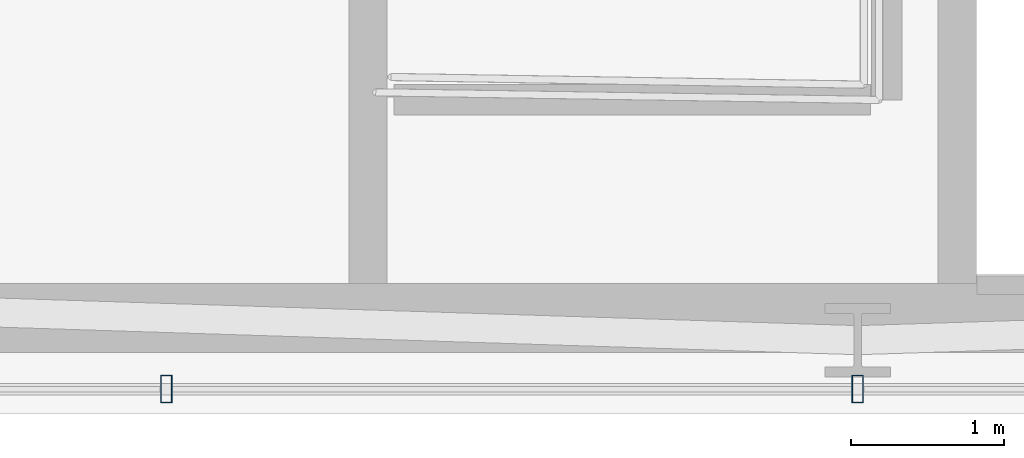
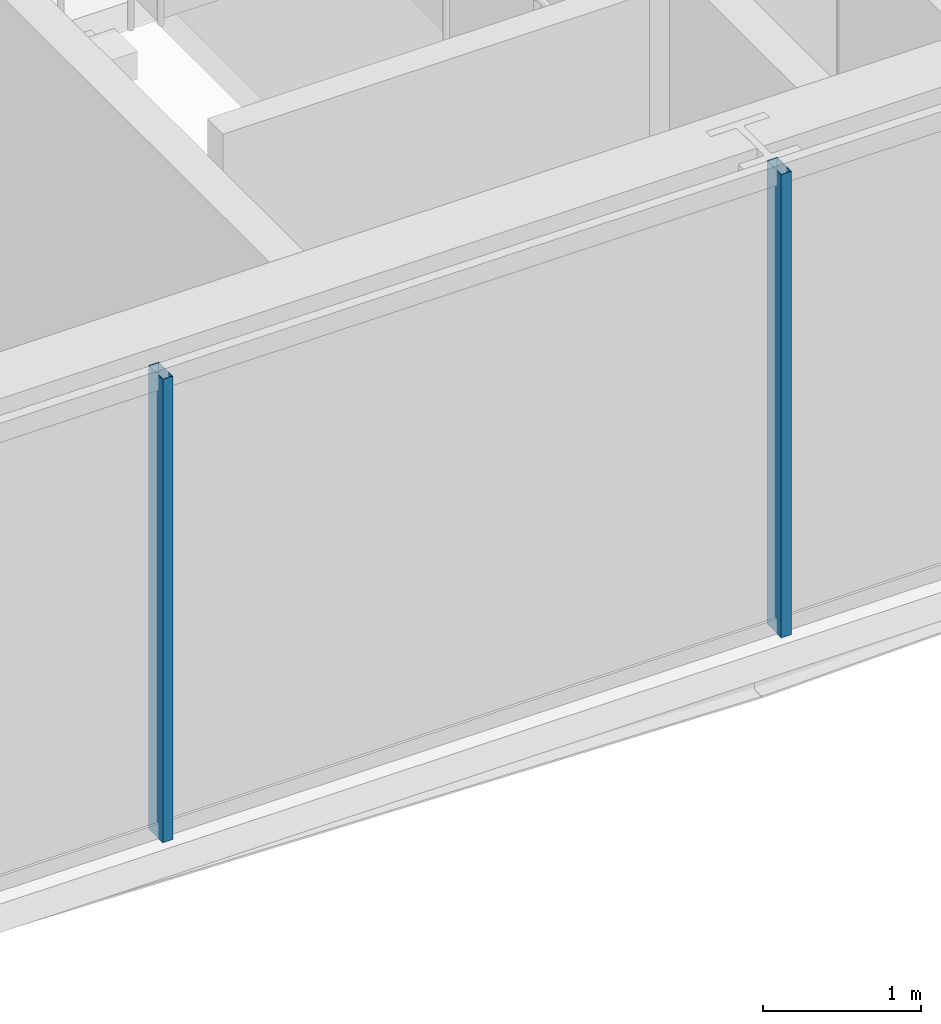
# One storey, part 7 of 33: 2 members, 1 element without a shape of its own.
"""IFC4 building model written with IfcOpenShell, lengths in metres."""

from ifc_helpers import new_model, si_unit, direction, frame, origin, origin_2d, place, context, subcontext, project, spatial, hollow_rectangle, extrude, material, layer, layer_set, material_profile, profile_set, type_object, element, aggregate, save


model = new_model("IFC4")

# Units and contexts
model_context = context("Model", 3, precision=1e-05, world=origin(), true_north=direction((0.0, 1.0)))
body_context = subcontext(model_context, "Body", "Model", "MODEL_VIEW")
ifc_project = project(units=[si_unit("LENGTHUNIT", "METRE"), si_unit("AREAUNIT", "SQUARE_METRE"), si_unit("VOLUMEUNIT", "CUBIC_METRE"), si_unit("PLANEANGLEUNIT", "RADIAN"), si_unit("MASSUNIT", "GRAM", prefix="KILO")], contexts=[model_context])

# Site, building, storey
site_placement = place(None, origin())
site = spatial("IfcSite", under=ifc_project, at=site_placement, CompositionType="ELEMENT")
building_placement = place(site_placement, origin())
building = spatial("IfcBuilding", under=site, at=building_placement, Name="Ndaravel Arena Tower", CompositionType="ELEMENT")
storey_placement = place(building_placement, frame((0.0, 0.0, 149.800048828125)))
storey = spatial("IfcBuildingStorey", under=building, at=storey_placement, Name="L35", CompositionType="ELEMENT", Elevation=149.800048828125)

# Curtain wall, members
ifc_material_1 = material(Name="Aluminium", Category="aluminium")
ifc_layer = layer(ifc_material_1, 0.179931640625)
ifc_layer_set = layer_set([ifc_layer], Name="Aluminium")
curtain_wall_type = type_object("IfcCurtainWallType", Name="CW-SYS-03", PredefinedType="NOTDEFINED", material=ifc_layer_set)
curtain_wall_placement = place(storey_placement, origin())
curtain_wall = element("IfcCurtainWall", 1, at=curtain_wall_placement, inside=storey, type_object=curtain_wall_type, Name="L35 Faceted Crystal Curtain Wall CW-L35-E01", PredefinedType="NOTDEFINED")
ifc_material_2 = material(Name="Aluminium", Category="aluminium")
ifc_material_profile = material_profile(ifc_material_2, hollow_rectangle(XDim=0.074951171875, YDim=0.179931640625, WallThickness=0.00390625, at=origin_2d()), Name="CW MULLION 75x180x4")
ifc_profile_set = profile_set([ifc_material_profile], Name="Aluminium")
member_type = type_object("IfcMemberType", Name="MEM-CW-MUL180", PredefinedType="MULLION", material=ifc_profile_set)
member_1_placement = place(storey_placement, frame((37.48095703125, 5.159912109375, 0.0), z_axis=(0.0, 0.0, 1.0), x_axis=(1.0, 0.0, 0.0)))
member_1 = element("IfcMember", 2, at=member_1_placement, type_object=member_type, Name="CW-L35-E01 Mullion 03", PredefinedType="MULLION", context=body_context, shape_type="SweptSolid", body=[
    extrude(hollow_rectangle(XDim=0.074951171875, YDim=0.179931640625, WallThickness=0.00390625, at=origin_2d()), origin(), (0.0, 0.0, 1.0), 3.579833984375),
])
member_2_placement = place(storey_placement, frame((42.0, 5.159912109375, 0.0), z_axis=(0.0, 0.0, 1.0), x_axis=(1.0, 0.0, 0.0)))
member_2 = element("IfcMember", 3, at=member_2_placement, type_object=member_type, Name="CW-L35-E01 Mullion 04", PredefinedType="MULLION", context=body_context, shape_type="SweptSolid", body=[
    extrude(hollow_rectangle(XDim=0.074951171875, YDim=0.179931640625, WallThickness=0.00390625, at=origin_2d()), origin(), (0.0, 0.0, 1.0), 3.579833984375),
])
aggregate(curtain_wall, [member_1, member_2])

save(model, "model.ifc")
